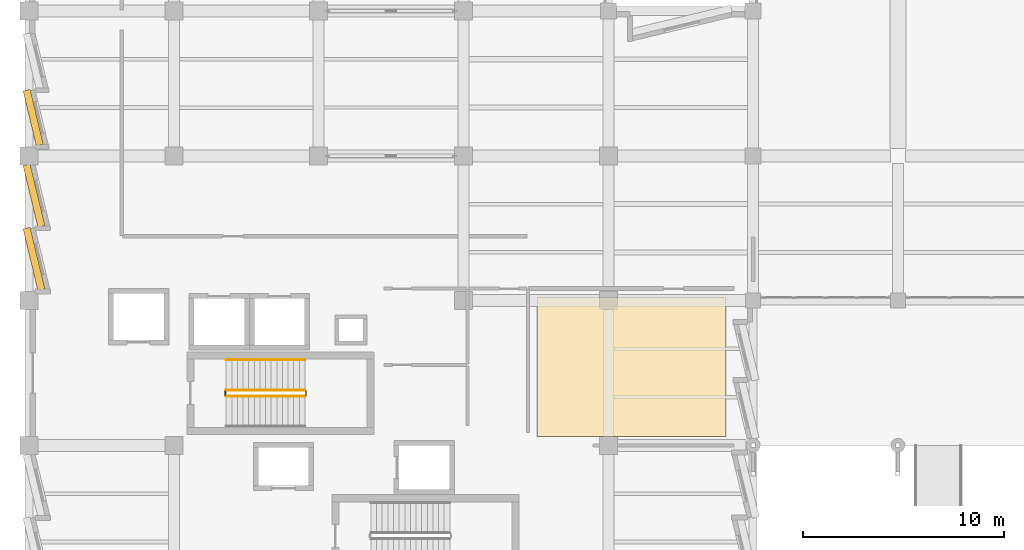
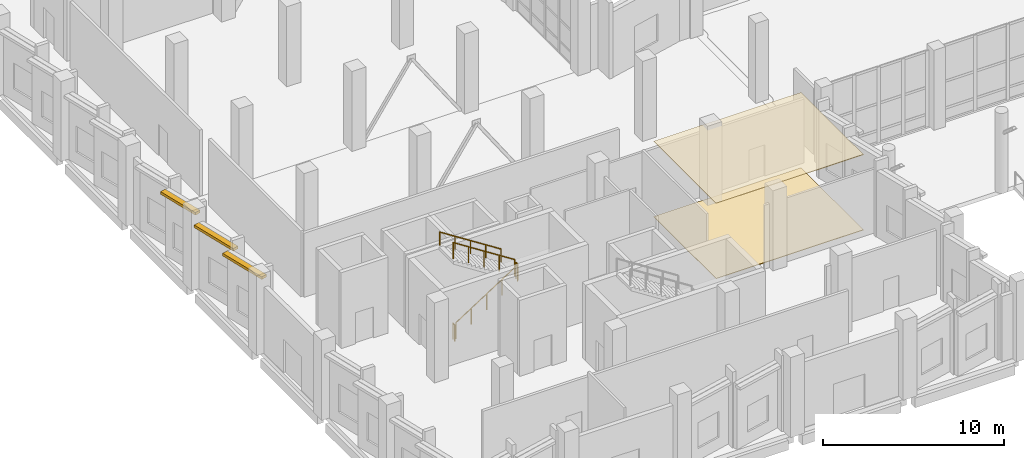
# One storey, part 120 of 137: 5 railings, 3 shading devices, 2 coverings.
"""IFC4 building model written with IfcOpenShell, lengths in metres."""

from ifc_helpers import new_model, si_unit, direction, frame, origin, origin_2d, place, context, subcontext, project, spatial, polyline, rectangle, circle, outline, extrude, material, layer, layer_set, type_object, element, save


model = new_model("IFC4")

# Units and contexts
model_context = context("Model", 3, precision=1e-05, world=origin(), true_north=direction((0.0, 1.0)))
body_context = subcontext(model_context, "Body", "Model", "MODEL_VIEW")
ifc_project = project(units=[si_unit("LENGTHUNIT", "METRE"), si_unit("AREAUNIT", "SQUARE_METRE"), si_unit("VOLUMEUNIT", "CUBIC_METRE"), si_unit("PLANEANGLEUNIT", "RADIAN"), si_unit("MASSUNIT", "GRAM", prefix="KILO")], contexts=[model_context])

# Site, building, storey
site_placement = place(None, origin())
site = spatial("IfcSite", under=ifc_project, at=site_placement, CompositionType="ELEMENT")
building_placement = place(site_placement, origin())
building = spatial("IfcBuilding", under=site, at=building_placement, Name="Kalmorath City Hall", CompositionType="ELEMENT")
storey_placement = place(building_placement, origin())
storey = spatial("IfcBuildingStorey", under=building, at=storey_placement, Name="L00", CompositionType="ELEMENT", Elevation=0.0)

# Coverings
ifc_material_1 = material(Name="Perforated acoustic gypsum ceiling")
ifc_layer_1 = layer(ifc_material_1, 0.0400390625)
ifc_layer_set_1 = layer_set([ifc_layer_1], Name="Perforated acoustic gypsum ceiling")
covering_type_1 = type_object("IfcCoveringType", Name="Perforated acoustic suspended ceiling 40", PredefinedType="CEILING", material=ifc_layer_set_1)
covering_1_placement = place(storey_placement, frame((0.0, 0.0, 5.080078125)))
element("IfcCovering", 1, at=covering_1_placement, inside=storey, type_object=covering_type_1, Name="L00 Public Licensing Counter Suite acoustic ceiling", PredefinedType="CEILING", context=body_context, shape_type="SweptSolid", body=[
    extrude(outline(polyline([(34.64990234375, 14.85009765625), (25.25, 14.85009765625), (25.25, 21.75), (34.64990234375, 21.75), (34.64990234375, 14.85009765625)])), origin(), (0.0, 0.0, 1.0), 0.0400390625),
])
ifc_material_2 = material(Name="Polished terrazzo finish")
ifc_layer_2 = layer(ifc_material_2, 0.034912109375)
ifc_layer_set_2 = layer_set([ifc_layer_2], Name="Polished terrazzo finish")
covering_type_2 = type_object("IfcCoveringType", Name="Polished civic terrazzo floor finish 35", PredefinedType="FLOORING", material=ifc_layer_set_2)
covering_2_placement = place(storey_placement, origin())
element("IfcCovering", 2, at=covering_2_placement, inside=storey, type_object=covering_type_2, Name="L00 Public Licensing Counter Suite terrazzo flooring", PredefinedType="FLOORING", context=body_context, shape_type="SweptSolid", body=[
    extrude(outline(polyline([(34.64990234375, 14.85009765625), (25.25, 14.85009765625), (25.25, 21.75), (34.64990234375, 21.75), (34.64990234375, 14.85009765625)])), origin(), (0.0, 0.0, 1.0), 0.034912109375),
])

# Shading devices
ifc_material_3 = material(Name="Precast concrete C40/50", Category="concrete")
ifc_layer_3 = layer(ifc_material_3, 0.179931640625)
ifc_layer_set_3 = layer_set([ifc_layer_3], Name="Precast concrete C40/50")
shading_device_type = type_object("IfcShadingDeviceType", Name="Precast sawtooth brow sunshade 350", PredefinedType="USERDEFINED", material=ifc_layer_set_3)
for number, where, z_axis, x_axis, name in (
    (3, (0.246826171875, 23.671630859375, 4.2509765625), (0.0, 0.0, 1.0), (-0.233445363856, 0.972369920398, 0.0), "L00 precast sawtooth hood #5"),
    (4, (0.246826171875, 26.82080078125, 4.2509765625), (0.0, 0.0, 1.0), (-0.233445363856, 0.972369920398, 0.0), "L00 precast sawtooth hood #6"),
):
    element("IfcShadingDevice", number, at=place(storey_placement, frame(where, z_axis=z_axis, x_axis=x_axis)), inside=storey, type_object=shading_device_type, Name=name, ObjectType="SUNSHADE", PredefinedType="USERDEFINED", context=body_context, shape_type="SweptSolid", body=[
        extrude(rectangle(XDim=3.1435546875, YDim=0.360107421875, at=origin_2d()), origin(), (0.0, 0.0, 1.0), 0.179931640625),
    ])
shading_device_placement = place(storey_placement, frame((0.2060546875, 30.70166015625, 4.2509765625), z_axis=(0.0, 0.0, 1.0), x_axis=(-0.233445363856, 0.972369920398, 0.0)))
element("IfcShadingDevice", 5, at=shading_device_placement, inside=storey, type_object=shading_device_type, Name="L00 precast sawtooth hood #7", ObjectType="SUNSHADE", PredefinedType="USERDEFINED", context=body_context, shape_type="SweptSolid", body=[
    extrude(rectangle(XDim=2.793701171875, YDim=0.360107421875, at=origin_2d()), origin(), (0.0, 0.0, 1.0), 0.179931640625),
])

# Railings
ifc_material_4 = material(Name="Painted steel guardrail", Category="steel")
railing_type_1 = type_object("IfcRailingType", Name="Protected stair guardrail 1100", PredefinedType="GUARDRAIL", material=ifc_material_4)
railing_1_placement = place(storey_placement, frame((9.800048828125, 16.85009765625, 0.179931640625)))
element("IfcRailing", 6, at=railing_1_placement, inside=storey, type_object=railing_type_1, Name="L00 ST-1 stair guard 1", PredefinedType="GUARDRAIL", context=body_context, shape_type="SweptSolid", body=[
    extrude(circle(Radius=0.02392578125, at=origin_2d()), frame((0.0, 0.0, 1.076171875), z_axis=(0.841171666519, 0.0, 0.540768182723), x_axis=(0.0, 1.0, 0.0)), (0.0, 0.0, 1.0), 4.66015625),
    extrude(circle(Radius=0.02099609375, at=origin_2d()), origin(), (0.0, 0.0, 1.0), 1.052001953125),
    extrude(circle(Radius=0.02099609375, at=origin_2d()), frame((0.97998046875, 0.0, 0.6298828125)), (0.0, 0.0, 1.0), 1.052001953125),
    extrude(circle(Radius=0.02099609375, at=origin_2d()), frame((1.9599609375, 0.0, 1.260009765625)), (0.0, 0.0, 1.0), 1.052001953125),
    extrude(circle(Radius=0.02099609375, at=origin_2d()), frame((2.93994140625, 0.0, 1.89013671875)), (0.0, 0.0, 1.0), 1.052001953125),
    extrude(circle(Radius=0.02099609375, at=origin_2d()), frame((3.919921875, 0.0, 2.52001953125)), (0.0, 0.0, 1.0), 1.052001953125),
])
railing_2_placement = place(storey_placement, frame((13.77001953125, 16.89990234375, 2.699951171875)))
element("IfcRailing", 7, at=railing_2_placement, inside=storey, type_object=railing_type_1, Name="L00 ST-1 stair guard 2", PredefinedType="GUARDRAIL", context=body_context, shape_type="SweptSolid", body=[
    extrude(circle(Radius=0.02392578125, at=origin_2d()), frame((0.0, 0.0, 1.076171875), z_axis=(0.0, 1.0, 0.0), x_axis=(-1.0, 0.0, 0.0)), (0.0, 0.0, 1.0), 0.2001953125),
    extrude(circle(Radius=0.02099609375, at=origin_2d()), origin(), (0.0, 0.0, 1.0), 1.052001953125),
    extrude(circle(Radius=0.02099609375, at=origin_2d()), frame((0.0, 0.2001953125, 0.0)), (0.0, 0.0, 1.0), 1.052001953125),
])
railing_3_placement = place(storey_placement, frame((13.719970703125, 17.14990234375, 2.8798828125)))
element("IfcRailing", 8, at=railing_3_placement, inside=storey, type_object=railing_type_1, Name="L00 ST-1 stair guard 3", PredefinedType="GUARDRAIL", context=body_context, shape_type="SweptSolid", body=[
    extrude(circle(Radius=0.02392578125, at=origin_2d()), frame((0.0, 0.0, 1.076171875), z_axis=(-0.841171666519, 0.0, 0.540768182723), x_axis=(0.0, -1.0, 0.0)), (0.0, 0.0, 1.0), 4.66015625),
    extrude(circle(Radius=0.02099609375, at=origin_2d()), origin(), (0.0, 0.0, 1.0), 1.052001953125),
    extrude(circle(Radius=0.02099609375, at=origin_2d()), frame((-0.97998046875, 0.0, 0.6298828125)), (0.0, 0.0, 1.0), 1.052001953125),
    extrude(circle(Radius=0.02099609375, at=origin_2d()), frame((-1.9599609375, 0.0, 1.260009765625)), (0.0, 0.0, 1.0), 1.052001953125),
    extrude(circle(Radius=0.02099609375, at=origin_2d()), frame((-2.93994140625, 0.0, 1.89013671875)), (0.0, 0.0, 1.0), 1.052001953125),
    extrude(circle(Radius=0.02099609375, at=origin_2d()), frame((-3.919921875, 0.0, 2.52001953125)), (0.0, 0.0, 1.0), 1.052001953125),
])
railing_4_placement = place(storey_placement, frame((9.75, 16.89990234375, 0.0)))
element("IfcRailing", 9, at=railing_4_placement, inside=storey, type_object=railing_type_1, Name="L00 ST-1 stair guard 4", PredefinedType="GUARDRAIL", context=body_context, shape_type="SweptSolid", body=[
    extrude(circle(Radius=0.02392578125, at=origin_2d()), frame((0.0, 0.0, 1.076171875), z_axis=(0.0, 1.0, 0.0), x_axis=(-1.0, 0.0, 0.0)), (0.0, 0.0, 1.0), 0.2001953125),
    extrude(circle(Radius=0.02099609375, at=origin_2d()), origin(), (0.0, 0.0, 1.0), 1.052001953125),
    extrude(circle(Radius=0.02099609375, at=origin_2d()), frame((0.0, 0.2001953125, 0.0)), (0.0, 0.0, 1.0), 1.052001953125),
])
ifc_material_5 = material(Name="Brushed stainless steel handrail", Category="steel")
railing_type_2 = type_object("IfcRailingType", Name="Stair pitch handrail 900", PredefinedType="HANDRAIL", material=ifc_material_5)
railing_5_placement = place(storey_placement, frame((13.719970703125, 18.64990234375, 2.8798828125)))
element("IfcRailing", 10, at=railing_5_placement, inside=storey, type_object=railing_type_2, Name="L00 ST-1 stair handrail 2", PredefinedType="HANDRAIL", context=body_context, shape_type="SweptSolid", body=[
    extrude(circle(Radius=0.02392578125, at=origin_2d()), frame((0.0, 0.0, 0.8759765625), z_axis=(-0.841171666519, 0.0, 0.540768182723), x_axis=(0.0, -1.0, 0.0)), (0.0, 0.0, 1.0), 4.66015625),
    extrude(circle(Radius=0.02099609375, at=origin_2d()), origin(), (0.0, 0.0, 1.0), 0.851806640625),
    extrude(circle(Radius=0.02099609375, at=origin_2d()), frame((-0.97998046875, 0.0, 0.6298828125)), (0.0, 0.0, 1.0), 0.851806640625),
    extrude(circle(Radius=0.02099609375, at=origin_2d()), frame((-1.9599609375, 0.0, 1.260009765625)), (0.0, 0.0, 1.0), 0.851806640625),
    extrude(circle(Radius=0.02099609375, at=origin_2d()), frame((-2.93994140625, 0.0, 1.89013671875)), (0.0, 0.0, 1.0), 0.851806640625),
    extrude(circle(Radius=0.02099609375, at=origin_2d()), frame((-3.919921875, 0.0, 2.52001953125)), (0.0, 0.0, 1.0), 0.851806640625),
])

save(model, "model.ifc")
